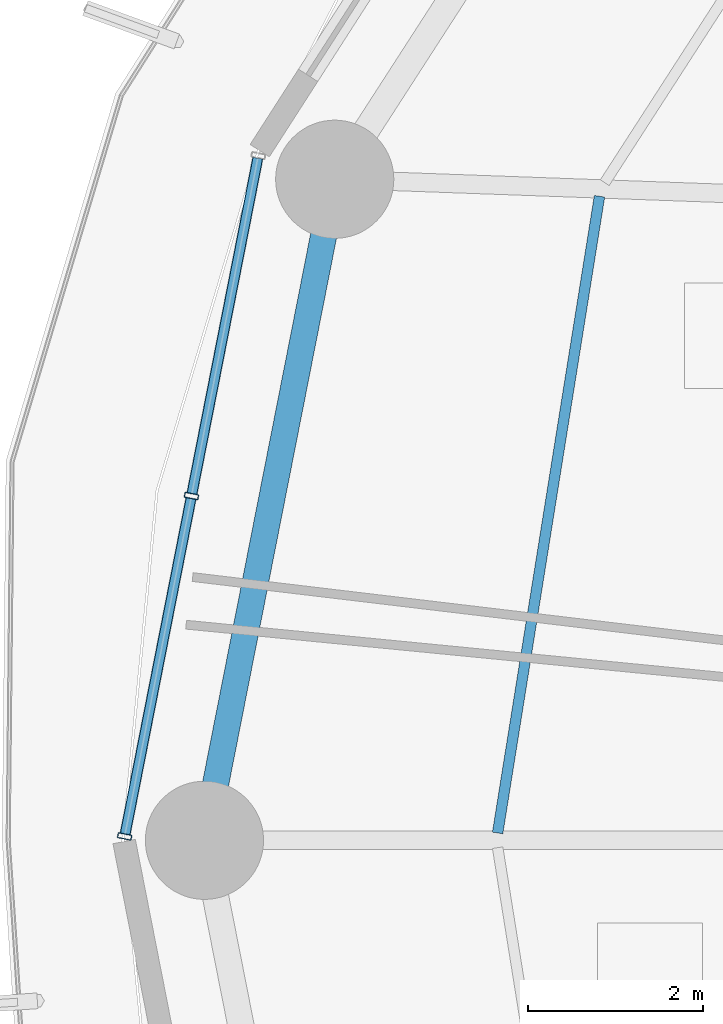
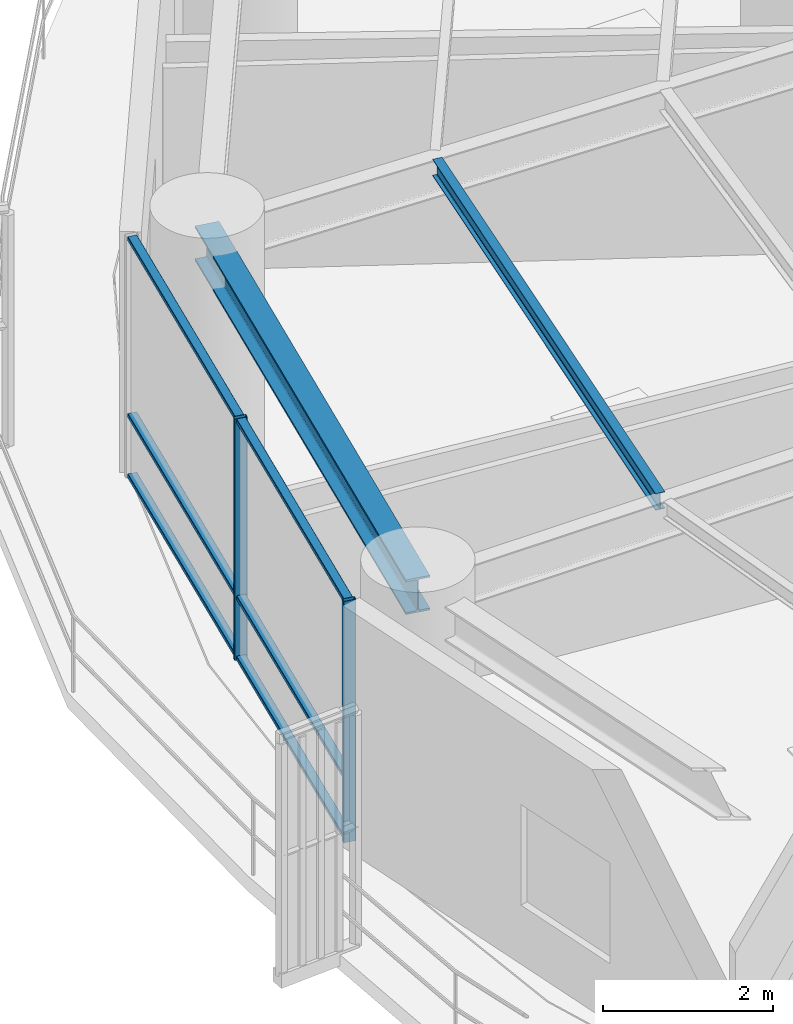
# One storey, part 8 of 36: 8 members, 2 beams, 1 element without a shape of its own.
"""IFC4 building model written with IfcOpenShell, lengths in metres."""

from ifc_helpers import new_model, si_unit, direction, frame, origin, origin_2d, place, context, subcontext, project, spatial, hollow_rectangle, i_section, extrude, material, layer, layer_set, material_profile, profile_set, type_object, element, aggregate, save


model = new_model("IFC4")

# Units and contexts
model_context = context("Model", 3, precision=1e-05, world=origin(), true_north=direction((0.0, 1.0)))
body_context = subcontext(model_context, "Body", "Model", "MODEL_VIEW")
ifc_project = project(units=[si_unit("LENGTHUNIT", "METRE"), si_unit("AREAUNIT", "SQUARE_METRE"), si_unit("VOLUMEUNIT", "CUBIC_METRE"), si_unit("PLANEANGLEUNIT", "RADIAN"), si_unit("MASSUNIT", "GRAM", prefix="KILO")], contexts=[model_context])

# Site, building, storey
site_placement = place(None, origin())
site = spatial("IfcSite", under=ifc_project, at=site_placement, CompositionType="ELEMENT")
building_placement = place(site_placement, origin())
building = spatial("IfcBuilding", under=site, at=building_placement, Name="Kelanora Arch Commons", CompositionType="ELEMENT")
storey_placement = place(building_placement, frame((0.0, 0.0, 102.60009765625)))
storey = spatial("IfcBuildingStorey", under=building, at=storey_placement, Name="L26", CompositionType="ELEMENT", Elevation=102.60009765625)

# Beams
ifc_material_1 = material(Name="Steel S355", Category="steel")
ifc_material_profile_1 = material_profile(ifc_material_1, i_section(OverallWidth=0.1201171875, OverallDepth=0.239990234375, WebThickness=0.006103515625, FlangeThickness=0.009765625, FilletRadius=0.014892578125, at=origin_2d()), Name="IPE240")
ifc_profile_set_1 = profile_set([ifc_material_profile_1], Name="Steel S355")
beam_type_1 = type_object("IfcBeamType", Name="BM-JST-02", PredefinedType="JOIST", material=ifc_profile_set_1)
beam_1_placement = place(storey_placement, frame((53.833251953125, 65.357421875, 3.369873046875), z_axis=(-0.157999549894, -0.987439184068, 0.0), x_axis=(0.987439184068, -0.157999549894, 0.0)))
element("IfcBeam", 1, at=beam_1_placement, inside=storey, type_object=beam_type_1, Name="Secondary Chord Joist BJC-16 L26", PredefinedType="JOIST", context=body_context, shape_type="SweptSolid", body=[
    extrude(i_section(OverallWidth=0.1201171875, OverallDepth=0.239990234375, WebThickness=0.006103515625, FlangeThickness=0.009765625, FilletRadius=0.014892578125, at=origin_2d()), origin(), (0.0, 0.0, 1.0), 7.365966796875),
])
ifc_material_profile_2 = material_profile(ifc_material_1, i_section(OverallWidth=0.300048828125, OverallDepth=0.5, WebThickness=0.014404296875, FlangeThickness=0.028076171875, FilletRadius=0.027099609375, at=origin_2d()), Name="HEB500")
ifc_profile_set_2 = profile_set([ifc_material_profile_2], Name="Steel S355")
beam_type_2 = type_object("IfcBeamType", Name="BM-SPN-Z2", PredefinedType="SPANDREL", material=ifc_profile_set_2)
beam_2_placement = place(storey_placement, frame((50.808349609375, 65.5517578125, 3.239990234375), z_axis=(-0.19335825777, -0.981128220037, 0.0), x_axis=(0.981128220037, -0.19335825777, 0.0)))
element("IfcBeam", 2, at=beam_2_placement, inside=storey, type_object=beam_type_2, Name="Perimeter Spandrel Beam BS-16 L26", PredefinedType="SPANDREL", context=body_context, shape_type="SweptSolid", body=[
    extrude(i_section(OverallWidth=0.300048828125, OverallDepth=0.5, WebThickness=0.014404296875, FlangeThickness=0.028076171875, FilletRadius=0.027099609375, at=origin_2d()), origin(), (0.0, 0.0, 1.0), 7.697021484375),
])

# Curtain wall, members
ifc_material_2 = material(Name="Terracotta ceramic-fritted low-E glass and aluminium", Category="masonry")
ifc_layer = layer(ifc_material_2, 0.159912109375)
ifc_layer_set = layer_set([ifc_layer], Name="Terracotta ceramic-fritted low-E glass and aluminium")
curtain_wall_type = type_object("IfcCurtainWallType", Name="CW-SYS-01", PredefinedType="NOTDEFINED", material=ifc_layer_set)
curtain_wall_placement = place(storey_placement, origin())
curtain_wall = element("IfcCurtainWall", 3, at=curtain_wall_placement, inside=storey, type_object=curtain_wall_type, Name="Unitised Curtain Wall L26-B08", PredefinedType="NOTDEFINED")
ifc_material_3 = material(Name="Powder-coated aluminium terracotta", Category="masonry")
ifc_material_profile_3 = material_profile(ifc_material_3, hollow_rectangle(XDim=0.159912109375, YDim=0.06005859375, WallThickness=0.0048828125, InnerFilletRadius=0.0048828125, OuterFilletRadius=0.010009765625, at=origin_2d()), Name="CWM160x60")
ifc_profile_set_3 = profile_set([ifc_material_profile_3], Name="Powder-coated aluminium terracotta")
member_type_1 = type_object("IfcMemberType", Name="CWM-STD", PredefinedType="MULLION", material=ifc_profile_set_3)
member_1_placement = place(storey_placement, frame((49.171875, 61.933349609375, 0.0), z_axis=(0.0, 0.0, 1.0), x_axis=(0.981280311646, -0.192584916272, 0.0)))
member_1 = element("IfcMember", 4, at=member_1_placement, type_object=member_type_1, Name="CW-01 mullion 2", PredefinedType="MULLION", context=body_context, shape_type="SweptSolid", body=[
    extrude(hollow_rectangle(XDim=0.159912109375, YDim=0.06005859375, WallThickness=0.0048828125, InnerFilletRadius=0.0048828125, OuterFilletRadius=0.010009765625, at=origin_2d()), origin(), (0.0, 0.0, 1.0), 3.474853515625),
])
member_2_placement = place(storey_placement, frame((48.40869140625, 58.044189453125, 0.0), z_axis=(0.0, 0.0, 1.0), x_axis=(0.981280311646, -0.192584916272, 0.0)))
member_2 = element("IfcMember", 5, at=member_2_placement, type_object=member_type_1, Name="CW-01 mullion 3", PredefinedType="MULLION", context=body_context, shape_type="SweptSolid", body=[
    extrude(hollow_rectangle(XDim=0.159912109375, YDim=0.06005859375, WallThickness=0.0048828125, InnerFilletRadius=0.0048828125, OuterFilletRadius=0.010009765625, at=origin_2d()), origin(), (0.0, 0.0, 1.0), 3.474853515625),
])
ifc_material_profile_4 = material_profile(ifc_material_3, hollow_rectangle(XDim=0.1201171875, YDim=0.06005859375, WallThickness=0.0048828125, InnerFilletRadius=0.0048828125, OuterFilletRadius=0.010009765625, at=origin_2d()), Name="CWT120x60")
ifc_profile_set_4 = profile_set([ifc_material_profile_4], Name="Powder-coated aluminium terracotta")
member_type_2 = type_object("IfcMemberType", Name="CWT-STD", PredefinedType="USERDEFINED", material=ifc_profile_set_4)
member_3_placement = place(storey_placement, frame((49.929443359375, 65.79296875, 0.02978515625), z_axis=(-0.192578614785, -0.981281548348, 0.0), x_axis=(0.981281548348, -0.192578614785, 0.0)))
member_3 = element("IfcMember", 6, at=member_3_placement, type_object=member_type_2, Name="CW-01 transom 1.1", ObjectType="TRANSOM", PredefinedType="USERDEFINED", context=body_context, shape_type="SweptSolid", body=[
    extrude(hollow_rectangle(XDim=0.1201171875, YDim=0.06005859375, WallThickness=0.0048828125, InnerFilletRadius=0.0048828125, OuterFilletRadius=0.010009765625, at=origin_2d()), origin(), (0.0, 0.0, 1.0), 3.9033203125),
])
member_4_placement = place(storey_placement, frame((49.929443359375, 65.79296875, 0.89990234375), z_axis=(-0.192578614785, -0.981281548348, 0.0), x_axis=(0.981281548348, -0.192578614785, 0.0)))
member_4 = element("IfcMember", 7, at=member_4_placement, type_object=member_type_2, Name="CW-01 transom 1.2", ObjectType="TRANSOM", PredefinedType="USERDEFINED", context=body_context, shape_type="SweptSolid", body=[
    extrude(hollow_rectangle(XDim=0.1201171875, YDim=0.06005859375, WallThickness=0.0048828125, InnerFilletRadius=0.0048828125, OuterFilletRadius=0.010009765625, at=origin_2d()), origin(), (0.0, 0.0, 1.0), 3.9033203125),
])
member_5_placement = place(storey_placement, frame((49.929443359375, 65.79296875, 3.44482421875), z_axis=(-0.192578614785, -0.981281548348, 0.0), x_axis=(0.981281548348, -0.192578614785, 0.0)))
member_5 = element("IfcMember", 8, at=member_5_placement, type_object=member_type_2, Name="CW-01 transom 1.3", ObjectType="TRANSOM", PredefinedType="USERDEFINED", context=body_context, shape_type="SweptSolid", body=[
    extrude(hollow_rectangle(XDim=0.1201171875, YDim=0.06005859375, WallThickness=0.0048828125, InnerFilletRadius=0.0048828125, OuterFilletRadius=0.010009765625, at=origin_2d()), origin(), (0.0, 0.0, 1.0), 3.9033203125),
])
member_6_placement = place(storey_placement, frame((49.166259765625, 61.90380859375, 0.02978515625), z_axis=(-0.192578614785, -0.981281548348, 0.0), x_axis=(0.981281548348, -0.192578614785, 0.0)))
member_6 = element("IfcMember", 9, at=member_6_placement, type_object=member_type_2, Name="CW-01 transom 2.1", ObjectType="TRANSOM", PredefinedType="USERDEFINED", context=body_context, shape_type="SweptSolid", body=[
    extrude(hollow_rectangle(XDim=0.1201171875, YDim=0.06005859375, WallThickness=0.0048828125, InnerFilletRadius=0.0048828125, OuterFilletRadius=0.010009765625, at=origin_2d()), origin(), (0.0, 0.0, 1.0), 3.9033203125),
])
member_7_placement = place(storey_placement, frame((49.166259765625, 61.90380859375, 0.89990234375), z_axis=(-0.192578614785, -0.981281548348, 0.0), x_axis=(0.981281548348, -0.192578614785, 0.0)))
member_7 = element("IfcMember", 10, at=member_7_placement, type_object=member_type_2, Name="CW-01 transom 2.2", ObjectType="TRANSOM", PredefinedType="USERDEFINED", context=body_context, shape_type="SweptSolid", body=[
    extrude(hollow_rectangle(XDim=0.1201171875, YDim=0.06005859375, WallThickness=0.0048828125, InnerFilletRadius=0.0048828125, OuterFilletRadius=0.010009765625, at=origin_2d()), origin(), (0.0, 0.0, 1.0), 3.9033203125),
])
member_8_placement = place(storey_placement, frame((49.166259765625, 61.90380859375, 3.44482421875), z_axis=(-0.192578614785, -0.981281548348, 0.0), x_axis=(0.981281548348, -0.192578614785, 0.0)))
member_8 = element("IfcMember", 11, at=member_8_placement, type_object=member_type_2, Name="CW-01 transom 2.3", ObjectType="TRANSOM", PredefinedType="USERDEFINED", context=body_context, shape_type="SweptSolid", body=[
    extrude(hollow_rectangle(XDim=0.1201171875, YDim=0.06005859375, WallThickness=0.0048828125, InnerFilletRadius=0.0048828125, OuterFilletRadius=0.010009765625, at=origin_2d()), origin(), (0.0, 0.0, 1.0), 3.9033203125),
])
aggregate(curtain_wall, [member_1, member_2, member_3, member_4, member_5, member_6, member_7, member_8])

save(model, "model.ifc")
